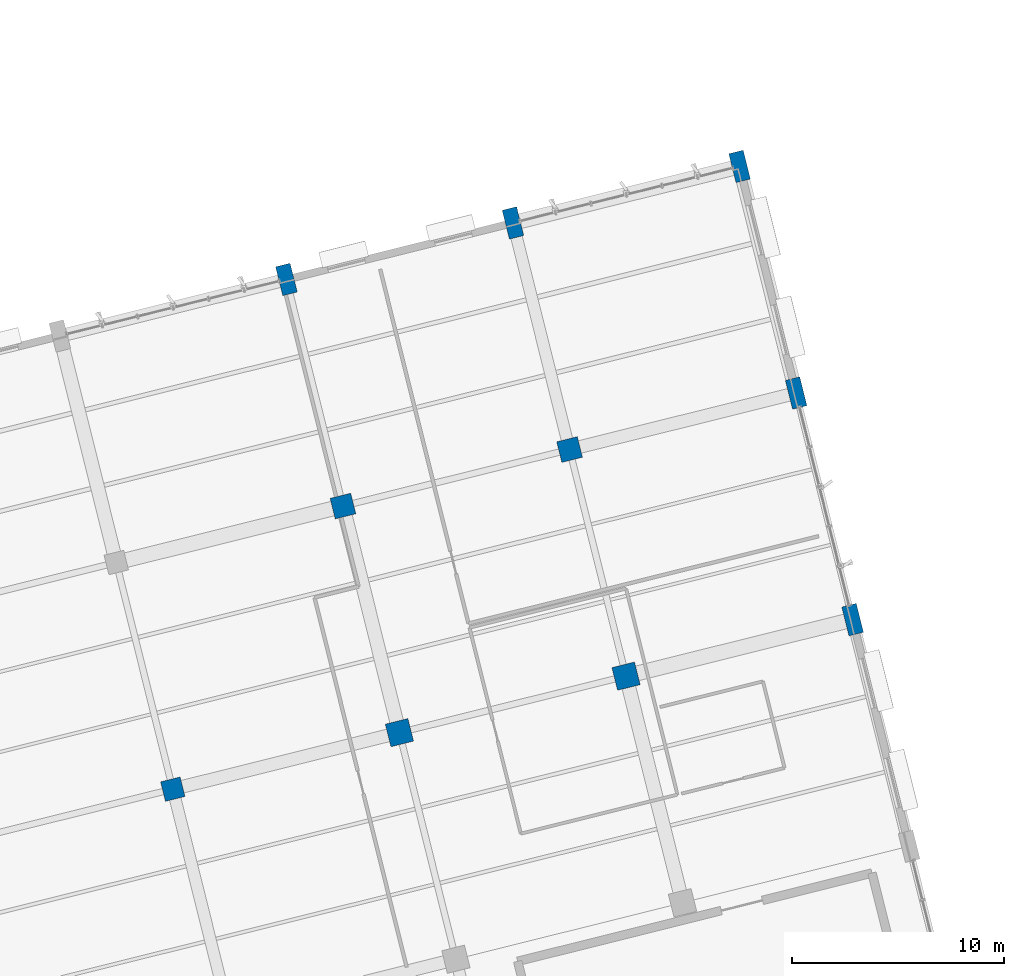
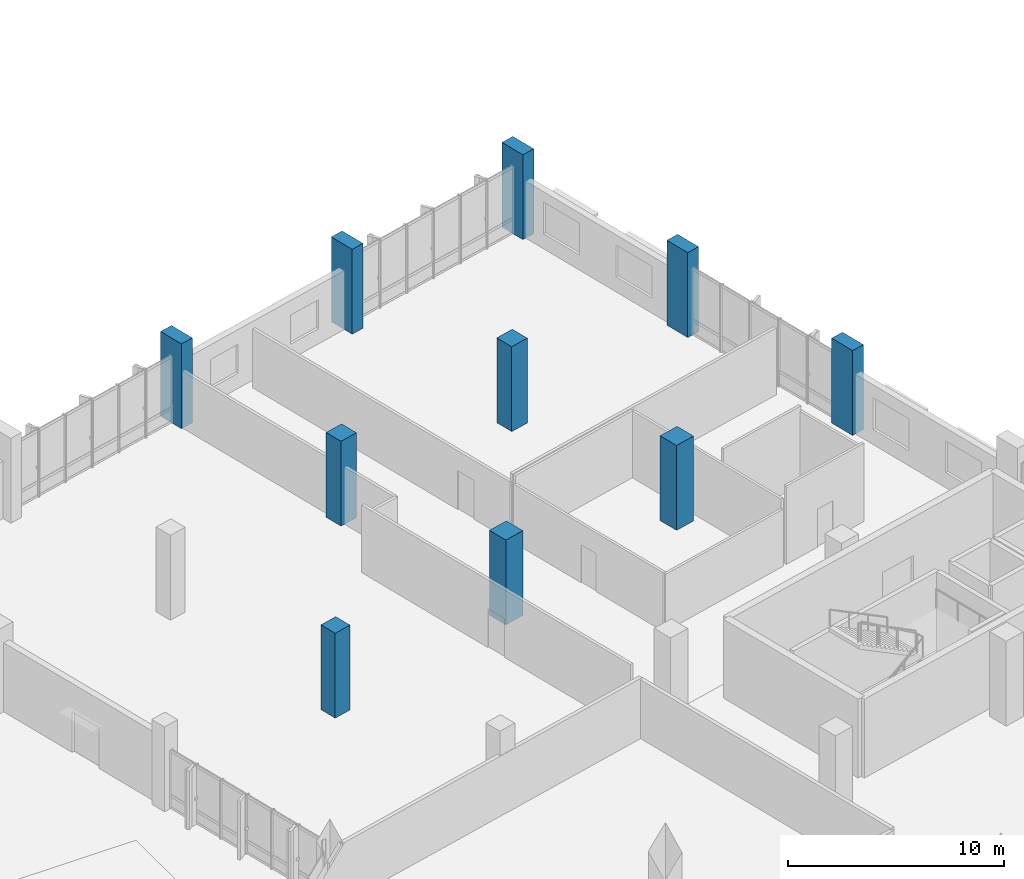
# One storey, part 6 of 137: 10 columns.
"""IFC4 building model written with IfcOpenShell, lengths in metres."""

import ifcopenshell
import ifcopenshell.guid

model = None  # the IFC model being written
_history = None  # IfcOwnerHistory: only IFC2X3 demands one
_inside = {}  # id of a spatial element -> (the spatial element, [elements in it])
_under = {}  # id of a project, library or spatial element -> (it, [spatial elements below it])
_declared = {}  # id of a project -> (the project, [libraries it declares])
_typed = {}  # id of a type object -> (the type object, [elements of that type])
_made_of = {}  # id of a material, layer set ... -> (it, [elements and type objects made of it])


def new_model(schema):
    """Start an empty IFC model of exactly this schema.

    Asked for "IFC4X3", IfcOpenShell would pick the latest addendum, in which some entities
    have other attributes; the version numbers below select the first issue.
    IFC2X3 requires an IfcOwnerHistory on every rooted entity: one is made here for all.
    """
    global model, _history
    if schema == "IFC4X3":
        model = ifcopenshell.file(schema_version=(4, 3, 0, 0))
    else:
        model = ifcopenshell.file(schema=schema)
    _inside.clear()
    _under.clear()
    _declared.clear()
    _typed.clear()
    _made_of.clear()
    _history = None
    if model.schema == "IFC2X3":
        org = make("IfcOrganization", Name="unknown")
        user = make(
            "IfcPersonAndOrganization",
            ThePerson=make("IfcPerson", FamilyName="unknown"),
            TheOrganization=org,
        )
        app = make(
            "IfcApplication",
            ApplicationDeveloper=org,
            Version="unknown",
            ApplicationFullName="unknown",
            ApplicationIdentifier="unknown",
        )
        _history = make(
            "IfcOwnerHistory",
            OwningUser=user,
            OwningApplication=app,
            ChangeAction="ADDED",
            CreationDate=0,
        )
    return model


def make(cls, **values):
    """One entity of the class cls with the attributes given. An attribute that is None is left unset."""
    return model.create_entity(
        cls, **{name: value for name, value in values.items() if value is not None}
    )


def rooted(cls, **values):
    """An entity with a GlobalId (a new one), such as an element, a storey or a relation."""
    return make(cls, GlobalId=ifcopenshell.guid.new(), OwnerHistory=_history, **values)


def si_unit(unit_type, name, prefix=None):
    """IfcSIUnit, for example si_unit("LENGTHUNIT", "METRE", prefix="MILLI")."""
    return make("IfcSIUnit", UnitType=unit_type, Prefix=prefix, Name=name)


def assignment(units):
    """IfcUnitAssignment: the units of a project."""
    return None if units is None else make("IfcUnitAssignment", Units=units)


def point(xyz):
    """IfcCartesianPoint."""
    return None if xyz is None else make("IfcCartesianPoint", Coordinates=xyz)


def direction(xyz):
    """IfcDirection."""
    return None if xyz is None else make("IfcDirection", DirectionRatios=xyz)


def frame(location, z_axis=None, x_axis=None):
    """IfcAxis2Placement3D, a coordinate frame: its origin and axes. An axis left out is left unset."""
    return make(
        "IfcAxis2Placement3D",
        Location=point(location),
        Axis=direction(z_axis),
        RefDirection=direction(x_axis),
    )


def frame_2d(location, x_axis=None):
    """IfcAxis2Placement2D, a coordinate frame in the plane: its origin and x axis."""
    return make(
        "IfcAxis2Placement2D", Location=point(location), RefDirection=direction(x_axis)
    )


def origin():
    """The frame at (0, 0, 0) with its axes left unset."""
    return frame((0.0, 0.0, 0.0))


def origin_2d():
    """The frame at (0, 0) in the plane with its x axis left unset."""
    return frame_2d((0.0, 0.0))


def place(relative_to, where):
    """IfcLocalPlacement: puts the frame where relative to a parent placement (None: the world)."""
    return make(
        "IfcLocalPlacement", PlacementRelTo=relative_to, RelativePlacement=where
    )


def context(
    kind, dimensions, precision=None, world=None, true_north=None, identifier=None
):
    """IfcGeometricRepresentationContext, for example the 3D "Model" context."""
    return make(
        "IfcGeometricRepresentationContext",
        ContextIdentifier=identifier,
        ContextType=kind,
        CoordinateSpaceDimension=dimensions,
        Precision=precision,
        WorldCoordinateSystem=world,
        TrueNorth=true_north,
    )


def subcontext(parent, identifier, kind, view, scale=None):
    """IfcGeometricRepresentationSubContext, for example "Body" below "Model"."""
    return make(
        "IfcGeometricRepresentationSubContext",
        ContextIdentifier=identifier,
        ContextType=kind,
        ParentContext=parent,
        TargetScale=scale,
        TargetView=view,
    )


def project(units=None, contexts=None):
    """IfcProject with its units and contexts."""
    return rooted(
        "IfcProject",
        Name="project",
        RepresentationContexts=contexts,
        UnitsInContext=assignment(units),
    )


def spatial(cls, under=None, at=None, **own):
    """A site, building, storey or space (cls), placed at a placement, below another one or the project."""
    s = rooted(cls, ObjectPlacement=at, **own)
    if under is not None:
        _under.setdefault(under.id(), (under, []))[1].append(s)
    return s


def profile(cls, at=None, kind="AREA", **sizes):
    """A parametric profile (cls). Its sizes go by their IFC names, for example OverallWidth=200.0."""
    return make(cls, ProfileType=kind, Position=at, **sizes)


def rectangle(**sizes):
    """IfcRectangleProfileDef."""
    return profile("IfcRectangleProfileDef", **sizes)


def extrude(swept, where, along, depth):
    """IfcExtrudedAreaSolid: the profile swept, set in the frame where, extruded along a direction by depth."""
    return make(
        "IfcExtrudedAreaSolid",
        SweptArea=swept,
        Position=where,
        ExtrudedDirection=direction(along),
        Depth=depth,
    )


def shape(context_of_items, identifier, shape_type, items):
    """IfcShapeRepresentation: the items that make up one representation, for example the "Body"."""
    return make(
        "IfcShapeRepresentation",
        ContextOfItems=context_of_items,
        RepresentationIdentifier=identifier,
        RepresentationType=shape_type,
        Items=items,
    )


def material(Name=None, Category=None):
    """IfcMaterial."""
    return make("IfcMaterial", Name=Name, Category=Category)


def material_profile(
    of_material, cross_section, Name=None, Category=None, Priority=None
):
    """IfcMaterialProfile: a cross section and its material."""
    return make(
        "IfcMaterialProfile",
        Name=Name,
        Material=of_material,
        Profile=cross_section,
        Priority=Priority,
        Category=Category,
    )


def profile_set(profiles, Name=None, composite=None):
    """IfcMaterialProfileSet."""
    return make(
        "IfcMaterialProfileSet",
        Name=Name,
        MaterialProfiles=profiles,
        CompositeProfile=composite,
    )


def made_of(thing, what):
    """Note that an element or type object is made of a material, layer set ...; save() writes the relation."""
    if what is not None:
        _made_of.setdefault(what.id(), (what, []))[1].append(thing)
    return thing


def type_object(cls, material=None, **own):
    """A type object (cls), such as IfcWallType, which elements share."""
    return made_of(rooted(cls, **own), material)


def element(
    cls,
    number,
    at=None,
    inside=None,
    cuts=None,
    type_object=None,
    material=None,
    context=None,
    identifier="Body",
    shape_type=None,
    held_by="IfcProductDefinitionShape",
    body=None,
    shapes=None,
    **own,
):
    """One element of the class cls, such as IfcWall. Its Tag is "e" and its number.

    at: its placement. inside: the storey or other place that contains it. cuts: it is an
    opening in that element (IfcRelVoidsElement). A single representation is given by context,
    identifier, shape_type and body (its items); several are given by shapes. held_by: the class
    of the entity that holds the representations. save() writes the other relations.
    """
    e = rooted(cls, Tag="e%d" % number, ObjectPlacement=at, **own)
    if body is not None:
        shapes = [shape(context, identifier, shape_type, body)]
    if shapes is not None:
        e.Representation = make(held_by, Representations=shapes)
    if inside is not None:
        _inside.setdefault(inside.id(), (inside, []))[1].append(e)
    if cuts is not None:
        rooted(
            "IfcRelVoidsElement", RelatingBuildingElement=cuts, RelatedOpeningElement=e
        )
    if type_object is not None:
        _typed.setdefault(type_object.id(), (type_object, []))[1].append(e)
    return made_of(e, material)


def aggregate(whole, parts):
    """IfcRelAggregates: a whole, such as a stair, and the parts it consists of."""
    return rooted("IfcRelAggregates", RelatingObject=whole, RelatedObjects=parts)


def save(model, path):
    """Write the relations noted so far, then the file.

    IfcRelAggregates (storeys below a building ...), IfcRelContainedInSpatialStructure (elements
    in a storey), IfcRelDefinesByType, IfcRelAssociatesMaterial and IfcRelDeclares: one each for
    every whole, place, type object, material and project.
    """
    for whole, parts in _under.values():
        aggregate(whole, parts)
    for where, things in _inside.values():
        rooted(
            "IfcRelContainedInSpatialStructure",
            RelatedElements=things,
            RelatingStructure=where,
        )
    for kind, things in _typed.values():
        rooted("IfcRelDefinesByType", RelatedObjects=things, RelatingType=kind)
    for what, things in _made_of.values():
        rooted("IfcRelAssociatesMaterial", RelatedObjects=things, RelatingMaterial=what)
    for by, libraries in _declared.values():
        rooted("IfcRelDeclares", RelatingContext=by, RelatedDefinitions=libraries)
    model.write(path)


model = new_model("IFC4")

# Units and contexts
model_context = context("Model", 3, precision=1e-05, world=origin(), true_north=direction((0.0, 1.0)))
body_context = subcontext(model_context, "Body", "Model", "MODEL_VIEW")
ifc_project = project(units=[si_unit("LENGTHUNIT", "METRE"), si_unit("AREAUNIT", "SQUARE_METRE"), si_unit("VOLUMEUNIT", "CUBIC_METRE"), si_unit("PLANEANGLEUNIT", "RADIAN"), si_unit("MASSUNIT", "GRAM", prefix="KILO")], contexts=[model_context])

# Site, building, storey
site_placement = place(None, origin())
site = spatial("IfcSite", under=ifc_project, at=site_placement, CompositionType="ELEMENT")
building_placement = place(site_placement, origin())
building = spatial("IfcBuilding", under=site, at=building_placement, Name="Khorjan Park Terminus", CompositionType="ELEMENT")
storey_placement = place(building_placement, frame((0.0, 0.0, 11.4)))
storey = spatial("IfcBuildingStorey", under=building, at=storey_placement, Name="L02", CompositionType="ELEMENT", Elevation=11.4)

# Columns
ifc_material = material(Name="Concrete C50/60", Category="concrete")
ifc_material_profile_1 = material_profile(ifc_material, rectangle(XDim=0.7, YDim=1.4, at=origin_2d()), Name="RC 700x1400")
ifc_profile_set_1 = profile_set([ifc_material_profile_1], Name="Concrete C50/60")
column_type_1 = type_object("IfcColumnType", Name="COL-BL1400E", PredefinedType="COLUMN", material=ifc_profile_set_1)
for number, where, z_axis, x_axis, name in (
    (1, (192.726, 76.684, 0.0), (0.0, 0.0, 1.0), (0.970295726276, 0.2419218956, 0.0), "Structural column C-BL14 (L02 #834)"),
    (2, (203.399, 79.345, 0.0), (0.0, 0.0, 1.0), (0.970295726276, 0.2419218956, 0.0), "Structural column C-BL14 (L02 #880)"),
    (3, (219.395, 60.66, 0.0), (0.0, 0.0, 1.0), (0.970295726276, 0.2419218956, 0.0), "Structural column C-BL14 (L02 #913)"),
    (4, (216.734, 71.333, 0.0), (0.0, 0.0, 1.0), (0.970295726276, 0.2419218956, 0.0), "Structural column C-BL14 (L02 #920)"),
    (5, (214.073, 82.006, 0.0), (0.0, 0.0, 1.0), (0.970295726276, 0.2419218956, 0.0), "Structural column C-BL14 (L02 #926)"),
):
    element("IfcColumn", number, at=place(storey_placement, frame(where, z_axis=z_axis, x_axis=x_axis)), inside=storey, type_object=column_type_1, Name=name, PredefinedType="COLUMN", context=body_context, shape_type="SweptSolid", body=[
        extrude(rectangle(XDim=0.7, YDim=1.4, at=origin_2d()), origin(), (0.0, 0.0, 1.0), 4.8),
    ])
ifc_material_profile_2 = material_profile(ifc_material, rectangle(XDim=1.0, YDim=1.0, at=origin_2d()), Name="RC 1000x1000")
ifc_profile_set_2 = profile_set([ifc_material_profile_2], Name="Concrete C50/60")
column_type_2 = type_object("IfcColumnType", Name="COL-RC1000", PredefinedType="COLUMN", material=ifc_profile_set_2)
for number, where, z_axis, x_axis, name in (
    (6, (195.387, 66.011, 0.0), (0.0, 0.0, 1.0), (0.970295726276, 0.2419218956, 0.0), "Structural column C-RC10 (L02 #828)"),
    (7, (206.061, 68.672, 0.0), (0.0, 0.0, 1.0), (0.970295726276, 0.2419218956, 0.0), "Structural column C-RC10 (L02 #874)"),
):
    element("IfcColumn", number, at=place(storey_placement, frame(where, z_axis=z_axis, x_axis=x_axis)), inside=storey, type_object=column_type_2, Name=name, PredefinedType="COLUMN", context=body_context, shape_type="SweptSolid", body=[
        extrude(rectangle(XDim=1.0, YDim=1.0, at=origin_2d()), origin(), (0.0, 0.0, 1.0), 4.8),
    ])
ifc_material_profile_3 = material_profile(ifc_material, rectangle(XDim=1.1, YDim=1.1, at=origin_2d()), Name="RC 1100x1100")
ifc_profile_set_3 = profile_set([ifc_material_profile_3], Name="Concrete C50/60")
column_type_3 = type_object("IfcColumnType", Name="COL-RC1100", PredefinedType="COLUMN", material=ifc_profile_set_3)
for number, where, z_axis, x_axis, name in (
    (8, (198.048, 55.338, 0.0), (0.0, 0.0, 1.0), (0.970295726276, 0.2419218956, 0.0), "Structural column C-RC11 (L02 #821)"),
    (9, (208.722, 57.999, 0.0), (0.0, 0.0, 1.0), (0.970295726276, 0.2419218956, 0.0), "Structural column C-RC11 (L02 #867)"),
):
    element("IfcColumn", number, at=place(storey_placement, frame(where, z_axis=z_axis, x_axis=x_axis)), inside=storey, type_object=column_type_3, Name=name, PredefinedType="COLUMN", context=body_context, shape_type="SweptSolid", body=[
        extrude(rectangle(XDim=1.1, YDim=1.1, at=origin_2d()), origin(), (0.0, 0.0, 1.0), 4.8),
    ])
ifc_material_profile_4 = material_profile(ifc_material, rectangle(XDim=0.95, YDim=0.95, at=origin_2d()), Name="RC 950x950")
ifc_profile_set_4 = profile_set([ifc_material_profile_4], Name="Concrete C50/60")
column_type_4 = type_object("IfcColumnType", Name="COL-RC950", PredefinedType="COLUMN", material=ifc_profile_set_4)
column_placement = place(storey_placement, frame((187.375, 52.676, 0.0), z_axis=(0.0, 0.0, 1.0), x_axis=(0.970295726276, 0.2419218956, 0.0)))
element("IfcColumn", 10, at=column_placement, inside=storey, type_object=column_type_4, Name="Structural column C-RC95 (L02 #778)", PredefinedType="COLUMN", context=body_context, shape_type="SweptSolid", body=[
    extrude(rectangle(XDim=0.95, YDim=0.95, at=origin_2d()), origin(), (0.0, 0.0, 1.0), 4.8),
])

save(model, "model.ifc")
